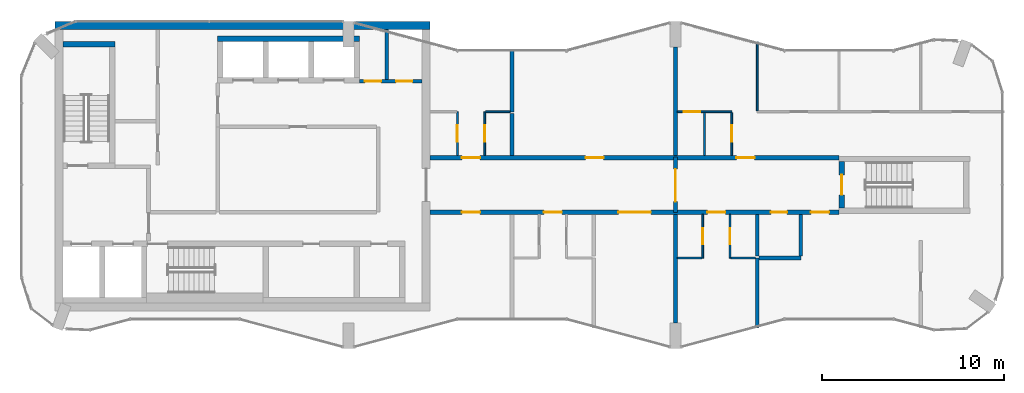
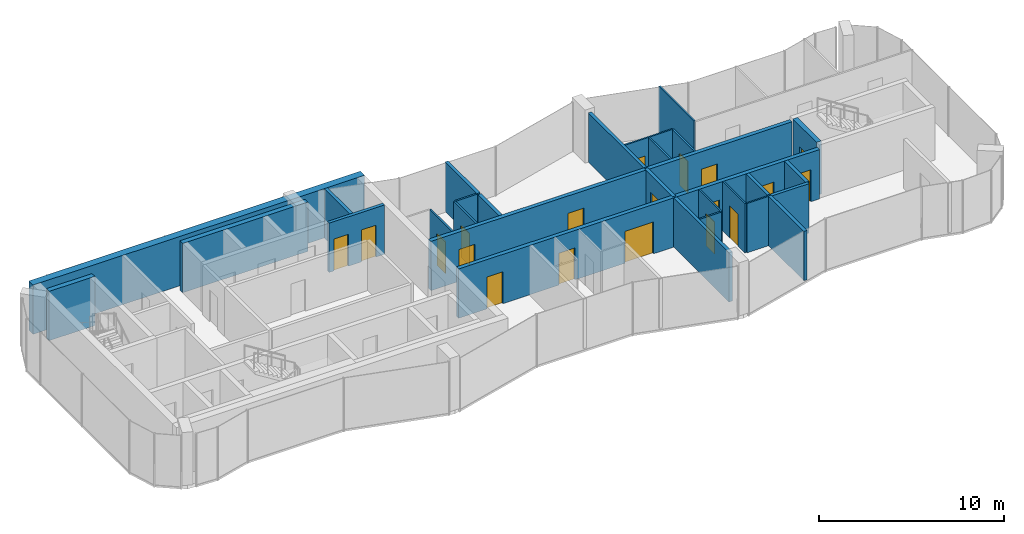
# One storey, part 8 of 10: 28 walls, 19 doors, 19 openings.
"""IFC4 building model written with IfcOpenShell, lengths in metres."""

import ifcopenshell
import ifcopenshell.guid

model = None  # the IFC model being written
_history = None  # IfcOwnerHistory: only IFC2X3 demands one
_inside = {}  # id of a spatial element -> (the spatial element, [elements in it])
_under = {}  # id of a project, library or spatial element -> (it, [spatial elements below it])
_declared = {}  # id of a project -> (the project, [libraries it declares])
_typed = {}  # id of a type object -> (the type object, [elements of that type])
_made_of = {}  # id of a material, layer set ... -> (it, [elements and type objects made of it])


def new_model(schema):
    """Start an empty IFC model of exactly this schema.

    Asked for "IFC4X3", IfcOpenShell would pick the latest addendum, in which some entities
    have other attributes; the version numbers below select the first issue.
    IFC2X3 requires an IfcOwnerHistory on every rooted entity: one is made here for all.
    """
    global model, _history
    if schema == "IFC4X3":
        model = ifcopenshell.file(schema_version=(4, 3, 0, 0))
    else:
        model = ifcopenshell.file(schema=schema)
    _inside.clear()
    _under.clear()
    _declared.clear()
    _typed.clear()
    _made_of.clear()
    _history = None
    if model.schema == "IFC2X3":
        org = make("IfcOrganization", Name="unknown")
        user = make(
            "IfcPersonAndOrganization",
            ThePerson=make("IfcPerson", FamilyName="unknown"),
            TheOrganization=org,
        )
        app = make(
            "IfcApplication",
            ApplicationDeveloper=org,
            Version="unknown",
            ApplicationFullName="unknown",
            ApplicationIdentifier="unknown",
        )
        _history = make(
            "IfcOwnerHistory",
            OwningUser=user,
            OwningApplication=app,
            ChangeAction="ADDED",
            CreationDate=0,
        )
    return model


def make(cls, **values):
    """One entity of the class cls with the attributes given. An attribute that is None is left unset."""
    return model.create_entity(
        cls, **{name: value for name, value in values.items() if value is not None}
    )


def rooted(cls, **values):
    """An entity with a GlobalId (a new one), such as an element, a storey or a relation."""
    return make(cls, GlobalId=ifcopenshell.guid.new(), OwnerHistory=_history, **values)


def si_unit(unit_type, name, prefix=None):
    """IfcSIUnit, for example si_unit("LENGTHUNIT", "METRE", prefix="MILLI")."""
    return make("IfcSIUnit", UnitType=unit_type, Prefix=prefix, Name=name)


def assignment(units):
    """IfcUnitAssignment: the units of a project."""
    return None if units is None else make("IfcUnitAssignment", Units=units)


def point(xyz):
    """IfcCartesianPoint."""
    return None if xyz is None else make("IfcCartesianPoint", Coordinates=xyz)


def direction(xyz):
    """IfcDirection."""
    return None if xyz is None else make("IfcDirection", DirectionRatios=xyz)


def frame(location, z_axis=None, x_axis=None):
    """IfcAxis2Placement3D, a coordinate frame: its origin and axes. An axis left out is left unset."""
    return make(
        "IfcAxis2Placement3D",
        Location=point(location),
        Axis=direction(z_axis),
        RefDirection=direction(x_axis),
    )


def frame_2d(location, x_axis=None):
    """IfcAxis2Placement2D, a coordinate frame in the plane: its origin and x axis."""
    return make(
        "IfcAxis2Placement2D", Location=point(location), RefDirection=direction(x_axis)
    )


def origin():
    """The frame at (0, 0, 0) with its axes left unset."""
    return frame((0.0, 0.0, 0.0))


def place(relative_to, where):
    """IfcLocalPlacement: puts the frame where relative to a parent placement (None: the world)."""
    return make(
        "IfcLocalPlacement", PlacementRelTo=relative_to, RelativePlacement=where
    )


def context(
    kind, dimensions, precision=None, world=None, true_north=None, identifier=None
):
    """IfcGeometricRepresentationContext, for example the 3D "Model" context."""
    return make(
        "IfcGeometricRepresentationContext",
        ContextIdentifier=identifier,
        ContextType=kind,
        CoordinateSpaceDimension=dimensions,
        Precision=precision,
        WorldCoordinateSystem=world,
        TrueNorth=true_north,
    )


def subcontext(parent, identifier, kind, view, scale=None):
    """IfcGeometricRepresentationSubContext, for example "Body" below "Model"."""
    return make(
        "IfcGeometricRepresentationSubContext",
        ContextIdentifier=identifier,
        ContextType=kind,
        ParentContext=parent,
        TargetScale=scale,
        TargetView=view,
    )


def project(units=None, contexts=None):
    """IfcProject with its units and contexts."""
    return rooted(
        "IfcProject",
        Name="project",
        RepresentationContexts=contexts,
        UnitsInContext=assignment(units),
    )


def spatial(cls, under=None, at=None, **own):
    """A site, building, storey or space (cls), placed at a placement, below another one or the project."""
    s = rooted(cls, ObjectPlacement=at, **own)
    if under is not None:
        _under.setdefault(under.id(), (under, []))[1].append(s)
    return s


def profile(cls, at=None, kind="AREA", **sizes):
    """A parametric profile (cls). Its sizes go by their IFC names, for example OverallWidth=200.0."""
    return make(cls, ProfileType=kind, Position=at, **sizes)


def rectangle(**sizes):
    """IfcRectangleProfileDef."""
    return profile("IfcRectangleProfileDef", **sizes)


def extrude(swept, where, along, depth):
    """IfcExtrudedAreaSolid: the profile swept, set in the frame where, extruded along a direction by depth."""
    return make(
        "IfcExtrudedAreaSolid",
        SweptArea=swept,
        Position=where,
        ExtrudedDirection=direction(along),
        Depth=depth,
    )


def shape(context_of_items, identifier, shape_type, items):
    """IfcShapeRepresentation: the items that make up one representation, for example the "Body"."""
    return make(
        "IfcShapeRepresentation",
        ContextOfItems=context_of_items,
        RepresentationIdentifier=identifier,
        RepresentationType=shape_type,
        Items=items,
    )


def material(Name=None, Category=None):
    """IfcMaterial."""
    return make("IfcMaterial", Name=Name, Category=Category)


def layer(
    of_material, thickness, ventilated=None, Name=None, Category=None, Priority=None
):
    """IfcMaterialLayer: one layer of a wall or slab, of a material (None: an air gap)."""
    return make(
        "IfcMaterialLayer",
        Material=of_material,
        LayerThickness=thickness,
        IsVentilated=ventilated,
        Name=Name,
        Category=Category,
        Priority=Priority,
    )


def layer_set(layers, Name=None):
    """IfcMaterialLayerSet."""
    return make("IfcMaterialLayerSet", MaterialLayers=layers, LayerSetName=Name)


def made_of(thing, what):
    """Note that an element or type object is made of a material, layer set ...; save() writes the relation."""
    if what is not None:
        _made_of.setdefault(what.id(), (what, []))[1].append(thing)
    return thing


def type_object(cls, material=None, **own):
    """A type object (cls), such as IfcWallType, which elements share."""
    return made_of(rooted(cls, **own), material)


def element(
    cls,
    number,
    at=None,
    inside=None,
    cuts=None,
    type_object=None,
    material=None,
    context=None,
    identifier="Body",
    shape_type=None,
    held_by="IfcProductDefinitionShape",
    body=None,
    shapes=None,
    **own,
):
    """One element of the class cls, such as IfcWall. Its Tag is "e" and its number.

    at: its placement. inside: the storey or other place that contains it. cuts: it is an
    opening in that element (IfcRelVoidsElement). A single representation is given by context,
    identifier, shape_type and body (its items); several are given by shapes. held_by: the class
    of the entity that holds the representations. save() writes the other relations.
    """
    e = rooted(cls, Tag="e%d" % number, ObjectPlacement=at, **own)
    if body is not None:
        shapes = [shape(context, identifier, shape_type, body)]
    if shapes is not None:
        e.Representation = make(held_by, Representations=shapes)
    if inside is not None:
        _inside.setdefault(inside.id(), (inside, []))[1].append(e)
    if cuts is not None:
        rooted(
            "IfcRelVoidsElement", RelatingBuildingElement=cuts, RelatedOpeningElement=e
        )
    if type_object is not None:
        _typed.setdefault(type_object.id(), (type_object, []))[1].append(e)
    return made_of(e, material)


def fill(opening, filler):
    """IfcRelFillsElement: the door or window that sits in an opening."""
    return rooted(
        "IfcRelFillsElement",
        RelatingOpeningElement=opening,
        RelatedBuildingElement=filler,
    )


def aggregate(whole, parts):
    """IfcRelAggregates: a whole, such as a stair, and the parts it consists of."""
    return rooted("IfcRelAggregates", RelatingObject=whole, RelatedObjects=parts)


def save(model, path):
    """Write the relations noted so far, then the file.

    IfcRelAggregates (storeys below a building ...), IfcRelContainedInSpatialStructure (elements
    in a storey), IfcRelDefinesByType, IfcRelAssociatesMaterial and IfcRelDeclares: one each for
    every whole, place, type object, material and project.
    """
    for whole, parts in _under.values():
        aggregate(whole, parts)
    for where, things in _inside.values():
        rooted(
            "IfcRelContainedInSpatialStructure",
            RelatedElements=things,
            RelatingStructure=where,
        )
    for kind, things in _typed.values():
        rooted("IfcRelDefinesByType", RelatedObjects=things, RelatingType=kind)
    for what, things in _made_of.values():
        rooted("IfcRelAssociatesMaterial", RelatedObjects=things, RelatingMaterial=what)
    for by, libraries in _declared.values():
        rooted("IfcRelDeclares", RelatingContext=by, RelatedDefinitions=libraries)
    model.write(path)


model = new_model("IFC4")

# Units and contexts
model_context = context("Model", 3, precision=1e-05, world=origin(), true_north=direction((0.0, 1.0)))
body_context = subcontext(model_context, "Body", "Model", "MODEL_VIEW")
ifc_project = project(units=[si_unit("LENGTHUNIT", "METRE"), si_unit("AREAUNIT", "SQUARE_METRE"), si_unit("VOLUMEUNIT", "CUBIC_METRE"), si_unit("PLANEANGLEUNIT", "RADIAN"), si_unit("MASSUNIT", "GRAM", prefix="KILO")], contexts=[model_context])

# Site, building, storey
site_placement = place(None, origin())
site = spatial("IfcSite", under=ifc_project, at=site_placement, CompositionType="ELEMENT")
building_placement = place(site_placement, origin())
building = spatial("IfcBuilding", under=site, at=building_placement, Name="Plateau Cross Towers", CompositionType="ELEMENT")
storey_placement = place(building_placement, frame((0.0, 0.0, 270.39990234375)))
storey = spatial("IfcBuildingStorey", under=building, at=storey_placement, Name="L71", CompositionType="ELEMENT", Elevation=270.39990234375)

# Wall, openings, doors
ifc_material_1 = material(Name="Concrete block, plastered both sides", Category="concrete")
ifc_layer_1 = layer(ifc_material_1, 0.199951171875)
ifc_layer_set_1 = layer_set([ifc_layer_1], Name="Concrete block, plastered both sides")
wall_type_1 = type_object("IfcWallType", Name="Core partition 200", PredefinedType="PARTITIONING", material=ifc_layer_set_1)
wall_1_placement = place(storey_placement, frame((18.60009765625, 14.699951171875, 0.0), z_axis=(0.0, 0.0, 1.0), x_axis=(1.0, 0.0, 0.0)))
wall_1 = element("IfcWall", 1, at=wall_1_placement, inside=storey, type_object=wall_type_1, Name="Core partition", PredefinedType="PARTITIONING", context=body_context, shape_type="SweptSolid", body=[
    extrude(rectangle(XDim=3.449951171875, YDim=0.199951171875, at=frame_2d((1.72509765625, 0.0))), origin(), (0.0, 0.0, 1.0), 3.25),
])
opening_1_placement = place(wall_1_placement, frame((0.300048828125, 0.0, 0.0)))
opening_1 = element("IfcOpeningElement", 2, at=opening_1_placement, cuts=wall_1, Name="Opening RD2", PredefinedType="OPENING", context=body_context, shape_type="SweptSolid", body=[
    extrude(rectangle(XDim=0.89990234375, YDim=2.10009765625, at=frame_2d((0.449951171875, 1.050048828125))), frame((0.0, 0.10986328125, 0.0), z_axis=(0.0, -1.0, 0.0), x_axis=(1.0, 0.0, 0.0)), (0.0, 0.0, 1.0), 0.219970703125),
])
opening_2_placement = place(wall_1_placement, frame((2.02490234375, 0.0, 0.0)))
opening_2 = element("IfcOpeningElement", 3, at=opening_2_placement, cuts=wall_1, Name="Opening RD2", PredefinedType="OPENING", context=body_context, shape_type="SweptSolid", body=[
    extrude(rectangle(XDim=0.89990234375, YDim=2.10009765625, at=frame_2d((0.449951171875, 1.050048828125))), frame((0.0, 0.10986328125, 0.0), z_axis=(0.0, -1.0, 0.0), x_axis=(1.0, 0.0, 0.0)), (0.0, 0.0, 1.0), 0.219970703125),
])
ifc_material_2 = material(Name="Steel, fire-resisting leaf", Category="steel")
door_type_1 = type_object("IfcDoorType", Name="Core riser door 900", OperationType="NOTDEFINED", PredefinedType="DOOR", material=ifc_material_2)
door_1_placement = place(opening_1_placement, origin())
door_1 = element("IfcDoor", 4, at=door_1_placement, inside=storey, type_object=door_type_1, Name="Core riser door RD2", OperationType="SINGLE_SWING_LEFT", OverallHeight=2.10009765625, OverallWidth=0.89990234375, PredefinedType="DOOR", context=body_context, shape_type="SweptSolid", body=[
    extrude(rectangle(XDim=0.89990234375, YDim=2.10009765625, at=frame_2d((0.449951171875, 1.050048828125))), frame((0.0, 0.02490234375, 0.0), z_axis=(0.0, -1.0, 0.0), x_axis=(1.0, 0.0, 0.0)), (0.0, 0.0, 1.0), 0.050048828125),
])
fill(opening_1, door_1)
door_2_placement = place(opening_2_placement, origin())
door_2 = element("IfcDoor", 5, at=door_2_placement, inside=storey, type_object=door_type_1, Name="Core riser door RD2", OperationType="SINGLE_SWING_LEFT", OverallHeight=2.10009765625, OverallWidth=0.89990234375, PredefinedType="DOOR", context=body_context, shape_type="SweptSolid", body=[
    extrude(rectangle(XDim=0.89990234375, YDim=2.10009765625, at=frame_2d((0.449951171875, 1.050048828125))), frame((0.0, 0.02490234375, 0.0), z_axis=(0.0, -1.0, 0.0), x_axis=(1.0, 0.0, 0.0)), (0.0, 0.0, 1.0), 0.050048828125),
])
fill(opening_2, door_2)

# Walls
wall_2_placement = place(storey_placement, frame((20.10009765625, 14.800048828125, 0.0), z_axis=(0.0, 0.0, 1.0), x_axis=(0.0, 1.0, 0.0)))
element("IfcWall", 6, at=wall_2_placement, inside=storey, type_object=wall_type_1, Name="Core partition", PredefinedType="PARTITIONING", context=body_context, shape_type="SweptSolid", body=[
    extrude(rectangle(XDim=2.75, YDim=0.199951171875, at=frame_2d((1.375, 0.0))), origin(), (0.0, 0.0, 1.0), 3.25),
])
ifc_material_3 = material(Name="Concrete C60/75", Category="concrete")
ifc_layer_2 = layer(ifc_material_3, 0.300048828125)
ifc_layer_set_2 = layer_set([ifc_layer_2], Name="Concrete C60/75")
wall_type_2 = type_object("IfcWallType", Name="Core shaft wall 300", PredefinedType="SHEAR", material=ifc_layer_set_2)
wall_3_placement = place(storey_placement, frame((2.300048828125, 16.75, 0.0), z_axis=(0.0, 0.0, 1.0), x_axis=(1.0, 0.0, 0.0)))
element("IfcWall", 7, at=wall_3_placement, inside=storey, type_object=wall_type_2, Name="A-st1-N@L71", PredefinedType="SHEAR", context=body_context, shape_type="SweptSolid", body=[
    extrude(rectangle(XDim=2.849853515625, YDim=0.300048828125, at=frame_2d((1.4248046875, 0.0))), origin(), (0.0, 0.0, 1.0), 3.25),
])
wall_4_placement = place(storey_placement, frame((10.800048828125, 17.050048828125, 0.0), z_axis=(0.0, 0.0, 1.0), x_axis=(1.0, 0.0, 0.0)))
element("IfcWall", 8, at=wall_4_placement, inside=storey, type_object=wall_type_2, Name="A-nb-back@L71", PredefinedType="SHEAR", context=body_context, shape_type="SweptSolid", body=[
    extrude(rectangle(XDim=7.800048828125, YDim=0.300048828125, at=frame_2d((3.89990234375, 0.0))), origin(), (0.0, 0.0, 1.0), 3.25),
])
ifc_layer_3 = layer(ifc_material_3, 0.449951171875)
ifc_layer_set_3 = layer_set([ifc_layer_3], Name="Concrete C60/75")
wall_type_3 = type_object("IfcWallType", Name="Core shell wall 450", PredefinedType="SHEAR", material=ifc_layer_set_3)
wall_5_placement = place(storey_placement, frame((1.85009765625, 17.77490234375, 0.0), z_axis=(0.0, 0.0, 1.0), x_axis=(1.0, 0.0, 0.0)))
element("IfcWall", 9, at=wall_5_placement, inside=storey, type_object=wall_type_3, Name="A-core-N@L71", PredefinedType="SHEAR", context=body_context, shape_type="SweptSolid", body=[
    extrude(rectangle(XDim=20.64990234375, YDim=0.449951171875, at=frame_2d((10.324951171875, 0.0))), origin(), (0.0, 0.0, 1.0), 3.25),
])

# Wall, openings, doors
ifc_layer_4 = layer(ifc_material_3, 0.25)
ifc_layer_set_4 = layer_set([ifc_layer_4], Name="Concrete C60/75")
wall_type_4 = type_object("IfcWallType", Name="Corridor wall 250", PredefinedType="SHEAR", material=ifc_layer_set_4)
wall_6_placement = place(storey_placement, frame((22.5, 7.5, 0.0), z_axis=(0.0, 0.0, 1.0), x_axis=(1.0, 0.0, 0.0)))
wall_6 = element("IfcWall", 10, at=wall_6_placement, inside=storey, type_object=wall_type_4, Name="A-cw-S1@L71", PredefinedType="SHEAR", context=body_context, shape_type="SweptSolid", body=[
    extrude(rectangle(XDim=22.5, YDim=0.25, at=frame_2d((11.25, 0.0))), origin(), (0.0, 0.0, 1.0), 3.25),
])
opening_3_placement = place(wall_6_placement, frame((1.75, 0.0, 0.0)))
opening_3 = element("IfcOpeningElement", 11, at=opening_3_placement, cuts=wall_6, Name="Opening 71-01", PredefinedType="OPENING", context=body_context, shape_type="SweptSolid", body=[
    extrude(rectangle(XDim=1.0, YDim=2.10009765625, at=frame_2d((0.5, 1.050048828125))), frame((0.0, 0.135009765625, 0.0), z_axis=(0.0, -1.0, 0.0), x_axis=(1.0, 0.0, 0.0)), (0.0, 0.0, 1.0), 0.27001953125),
])
opening_4_placement = place(wall_6_placement, frame((6.25, 0.0, 0.0)))
opening_4 = element("IfcOpeningElement", 12, at=opening_4_placement, cuts=wall_6, Name="Opening 71-02", PredefinedType="OPENING", context=body_context, shape_type="SweptSolid", body=[
    extrude(rectangle(XDim=1.0, YDim=2.10009765625, at=frame_2d((0.5, 1.050048828125))), frame((0.0, 0.135009765625, 0.0), z_axis=(0.0, -1.0, 0.0), x_axis=(1.0, 0.0, 0.0)), (0.0, 0.0, 1.0), 0.27001953125),
])
opening_5_placement = place(wall_6_placement, frame((10.35009765625, 0.0, 0.0)))
opening_5 = element("IfcOpeningElement", 13, at=opening_5_placement, cuts=wall_6, Name="Opening 71-03", PredefinedType="OPENING", context=body_context, shape_type="SweptSolid", body=[
    extrude(rectangle(XDim=1.800048828125, YDim=2.10009765625, at=frame_2d((0.89990234375, 1.050048828125))), frame((0.0, 0.135009765625, 0.0), z_axis=(0.0, -1.0, 0.0), x_axis=(1.0, 0.0, 0.0)), (0.0, 0.0, 1.0), 0.27001953125),
])
opening_6_placement = place(wall_6_placement, frame((15.25, 0.0, 0.0)))
opening_6 = element("IfcOpeningElement", 14, at=opening_6_placement, cuts=wall_6, Name="Opening 71-04", PredefinedType="OPENING", context=body_context, shape_type="SweptSolid", body=[
    extrude(rectangle(XDim=1.0, YDim=2.10009765625, at=frame_2d((0.5, 1.050048828125))), frame((0.0, 0.135009765625, 0.0), z_axis=(0.0, -1.0, 0.0), x_axis=(1.0, 0.0, 0.0)), (0.0, 0.0, 1.0), 0.27001953125),
])
opening_7_placement = place(wall_6_placement, frame((18.75, 0.0, 0.0)))
opening_7 = element("IfcOpeningElement", 15, at=opening_7_placement, cuts=wall_6, Name="Opening 71-05", PredefinedType="OPENING", context=body_context, shape_type="SweptSolid", body=[
    extrude(rectangle(XDim=0.89990234375, YDim=2.10009765625, at=frame_2d((0.449951171875, 1.050048828125))), frame((0.0, 0.135009765625, 0.0), z_axis=(0.0, -1.0, 0.0), x_axis=(1.0, 0.0, 0.0)), (0.0, 0.0, 1.0), 0.27001953125),
])
opening_8_placement = place(wall_6_placement, frame((20.949951171875, 0.0, 0.0)))
opening_8 = element("IfcOpeningElement", 16, at=opening_8_placement, cuts=wall_6, Name="Opening 71-06", PredefinedType="OPENING", context=body_context, shape_type="SweptSolid", body=[
    extrude(rectangle(XDim=1.0, YDim=2.10009765625, at=frame_2d((0.5, 1.050048828125))), frame((0.0, 0.135009765625, 0.0), z_axis=(0.0, -1.0, 0.0), x_axis=(1.0, 0.0, 0.0)), (0.0, 0.0, 1.0), 0.27001953125),
])
ifc_material_4 = material(Name="Timber, fire-resisting leaf", Category="wood")
door_type_2 = type_object("IfcDoorType", Name="Flat entrance door 1000", OperationType="NOTDEFINED", PredefinedType="DOOR", material=ifc_material_4)
door_3_placement = place(opening_3_placement, origin())
door_3 = element("IfcDoor", 17, at=door_3_placement, inside=storey, type_object=door_type_2, Name="Door 71-01", OperationType="SINGLE_SWING_LEFT", OverallHeight=2.10009765625, OverallWidth=1.0, PredefinedType="DOOR", context=body_context, shape_type="SweptSolid", body=[
    extrude(rectangle(XDim=1.0, YDim=2.10009765625, at=frame_2d((0.5, 1.050048828125))), frame((0.0, 0.02490234375, 0.0), z_axis=(0.0, -1.0, 0.0), x_axis=(1.0, 0.0, 0.0)), (0.0, 0.0, 1.0), 0.050048828125),
])
fill(opening_3, door_3)
door_4_placement = place(opening_4_placement, origin())
door_4 = element("IfcDoor", 18, at=door_4_placement, inside=storey, type_object=door_type_2, Name="Door 71-02", OperationType="SINGLE_SWING_LEFT", OverallHeight=2.10009765625, OverallWidth=1.0, PredefinedType="DOOR", context=body_context, shape_type="SweptSolid", body=[
    extrude(rectangle(XDim=1.0, YDim=2.10009765625, at=frame_2d((0.5, 1.050048828125))), frame((0.0, 0.02490234375, 0.0), z_axis=(0.0, -1.0, 0.0), x_axis=(1.0, 0.0, 0.0)), (0.0, 0.0, 1.0), 0.050048828125),
])
fill(opening_4, door_4)
door_5_placement = place(opening_6_placement, origin())
door_5 = element("IfcDoor", 19, at=door_5_placement, inside=storey, type_object=door_type_2, Name="Door 71-04", OperationType="SINGLE_SWING_RIGHT", OverallHeight=2.10009765625, OverallWidth=1.0, PredefinedType="DOOR", context=body_context, shape_type="SweptSolid", body=[
    extrude(rectangle(XDim=1.0, YDim=2.10009765625, at=frame_2d((0.5, 1.050048828125))), frame((0.0, 0.02490234375, 0.0), z_axis=(0.0, -1.0, 0.0), x_axis=(1.0, 0.0, 0.0)), (0.0, 0.0, 1.0), 0.050048828125),
])
fill(opening_6, door_5)
door_6_placement = place(opening_8_placement, origin())
door_6 = element("IfcDoor", 20, at=door_6_placement, inside=storey, type_object=door_type_2, Name="Door 71-06", OperationType="SINGLE_SWING_RIGHT", OverallHeight=2.10009765625, OverallWidth=1.0, PredefinedType="DOOR", context=body_context, shape_type="SweptSolid", body=[
    extrude(rectangle(XDim=1.0, YDim=2.10009765625, at=frame_2d((0.5, 1.050048828125))), frame((0.0, 0.02490234375, 0.0), z_axis=(0.0, -1.0, 0.0), x_axis=(1.0, 0.0, 0.0)), (0.0, 0.0, 1.0), 0.050048828125),
])
fill(opening_8, door_6)
ifc_material_5 = material(Name="Timber, fire-resisting leaves", Category="wood")
door_type_3 = type_object("IfcDoorType", Name="Flat floor fire door pair 1800", OperationType="NOTDEFINED", PredefinedType="DOOR", material=ifc_material_5)
door_7_placement = place(opening_5_placement, origin())
door_7 = element("IfcDoor", 21, at=door_7_placement, inside=storey, type_object=door_type_3, Name="Door 71-03", OperationType="SINGLE_SWING_LEFT", OverallHeight=2.10009765625, OverallWidth=1.800048828125, PredefinedType="DOOR", context=body_context, shape_type="SweptSolid", body=[
    extrude(rectangle(XDim=1.800048828125, YDim=2.10009765625, at=frame_2d((0.89990234375, 1.050048828125))), frame((0.0, 0.02490234375, 0.0), z_axis=(0.0, -1.0, 0.0), x_axis=(1.0, 0.0, 0.0)), (0.0, 0.0, 1.0), 0.050048828125),
])
fill(opening_5, door_7)
door_type_4 = type_object("IfcDoorType", Name="Flat floor service door 900", OperationType="NOTDEFINED", PredefinedType="DOOR", material=ifc_material_4)
door_8_placement = place(opening_7_placement, origin())
door_8 = element("IfcDoor", 22, at=door_8_placement, inside=storey, type_object=door_type_4, Name="Door 71-05", OperationType="SINGLE_SWING_RIGHT", OverallHeight=2.10009765625, OverallWidth=0.89990234375, PredefinedType="DOOR", context=body_context, shape_type="SweptSolid", body=[
    extrude(rectangle(XDim=0.89990234375, YDim=2.10009765625, at=frame_2d((0.449951171875, 1.050048828125))), frame((0.0, 0.02490234375, 0.0), z_axis=(0.0, -1.0, 0.0), x_axis=(1.0, 0.0, 0.0)), (0.0, 0.0, 1.0), 0.050048828125),
])
fill(opening_7, door_8)

wall_7_placement = place(storey_placement, frame((22.5, 10.5, 0.0), z_axis=(0.0, 0.0, 1.0), x_axis=(1.0, 0.0, 0.0)))
wall_7 = element("IfcWall", 23, at=wall_7_placement, inside=storey, type_object=wall_type_4, Name="A-cw-S2@L71", PredefinedType="SHEAR", context=body_context, shape_type="SweptSolid", body=[
    extrude(rectangle(XDim=22.5, YDim=0.25, at=frame_2d((11.25, 0.0))), origin(), (0.0, 0.0, 1.0), 3.25),
])
opening_9_placement = place(wall_7_placement, frame((1.75, 0.0, 0.0)))
opening_9 = element("IfcOpeningElement", 24, at=opening_9_placement, cuts=wall_7, Name="Opening 71-07", PredefinedType="OPENING", context=body_context, shape_type="SweptSolid", body=[
    extrude(rectangle(XDim=1.0, YDim=2.10009765625, at=frame_2d((0.5, 1.050048828125))), frame((0.0, 0.135009765625, 0.0), z_axis=(0.0, -1.0, 0.0), x_axis=(1.0, 0.0, 0.0)), (0.0, 0.0, 1.0), 0.27001953125),
])
opening_10_placement = place(wall_7_placement, frame((8.550048828125, 0.0, 0.0)))
opening_10 = element("IfcOpeningElement", 25, at=opening_10_placement, cuts=wall_7, Name="Opening 71-08", PredefinedType="OPENING", context=body_context, shape_type="SweptSolid", body=[
    extrude(rectangle(XDim=1.0, YDim=2.10009765625, at=frame_2d((0.5, 1.050048828125))), frame((0.0, 0.135009765625, 0.0), z_axis=(0.0, -1.0, 0.0), x_axis=(1.0, 0.0, 0.0)), (0.0, 0.0, 1.0), 0.27001953125),
])
opening_11_placement = place(wall_7_placement, frame((16.85009765625, 0.0, 0.0)))
opening_11 = element("IfcOpeningElement", 26, at=opening_11_placement, cuts=wall_7, Name="Opening 71-09", PredefinedType="OPENING", context=body_context, shape_type="SweptSolid", body=[
    extrude(rectangle(XDim=1.0, YDim=2.10009765625, at=frame_2d((0.5, 1.050048828125))), frame((0.0, 0.135009765625, 0.0), z_axis=(0.0, -1.0, 0.0), x_axis=(1.0, 0.0, 0.0)), (0.0, 0.0, 1.0), 0.27001953125),
])
door_9_placement = place(opening_9_placement, origin())
door_9 = element("IfcDoor", 27, at=door_9_placement, inside=storey, type_object=door_type_2, Name="Door 71-07", OperationType="SINGLE_SWING_LEFT", OverallHeight=2.10009765625, OverallWidth=1.0, PredefinedType="DOOR", context=body_context, shape_type="SweptSolid", body=[
    extrude(rectangle(XDim=1.0, YDim=2.10009765625, at=frame_2d((0.5, 1.050048828125))), frame((0.0, 0.02490234375, 0.0), z_axis=(0.0, -1.0, 0.0), x_axis=(1.0, 0.0, 0.0)), (0.0, 0.0, 1.0), 0.050048828125),
])
fill(opening_9, door_9)
door_10_placement = place(opening_10_placement, origin())
door_10 = element("IfcDoor", 28, at=door_10_placement, inside=storey, type_object=door_type_2, Name="Door 71-08", OperationType="SINGLE_SWING_LEFT", OverallHeight=2.10009765625, OverallWidth=1.0, PredefinedType="DOOR", context=body_context, shape_type="SweptSolid", body=[
    extrude(rectangle(XDim=1.0, YDim=2.10009765625, at=frame_2d((0.5, 1.050048828125))), frame((0.0, 0.02490234375, 0.0), z_axis=(0.0, -1.0, 0.0), x_axis=(1.0, 0.0, 0.0)), (0.0, 0.0, 1.0), 0.050048828125),
])
fill(opening_10, door_10)
door_11_placement = place(opening_11_placement, origin())
door_11 = element("IfcDoor", 29, at=door_11_placement, inside=storey, type_object=door_type_2, Name="Door 71-09", OperationType="SINGLE_SWING_RIGHT", OverallHeight=2.10009765625, OverallWidth=1.0, PredefinedType="DOOR", context=body_context, shape_type="SweptSolid", body=[
    extrude(rectangle(XDim=1.0, YDim=2.10009765625, at=frame_2d((0.5, 1.050048828125))), frame((0.0, 0.02490234375, 0.0), z_axis=(0.0, -1.0, 0.0), x_axis=(1.0, 0.0, 0.0)), (0.0, 0.0, 1.0), 0.050048828125),
])
fill(opening_11, door_11)

# Walls
ifc_material_6 = material(Name="Gypsum board on steel studs", Category="steel")
ifc_layer_5 = layer(ifc_material_6, 0.10009765625)
ifc_layer_set_5 = layer_set([ifc_layer_5], Name="Gypsum board on steel studs")
wall_type_5 = type_object("IfcWallType", Name="Flat partition 100", PredefinedType="PARTITIONING", material=ifc_layer_set_5)
for number, where, z_axis, x_axis, name in (
    (30, (36.10009765625, 4.97509765625, 0.0), (0.0, 0.0, 1.0), (1.0, 0.0, 0.0), "Partition wall"),
    (31, (39.050048828125, 4.97509765625, 0.0), (0.0, 0.0, 1.0), (1.0, 0.0, 0.0), "Partition wall"),
    (32, (26.89990234375, 13.02490234375, 0.0), (0.0, 0.0, 1.0), (-1.0, 0.0, 0.0), "Partition wall"),
):
    element("IfcWall", number, at=place(storey_placement, frame(where, z_axis=z_axis, x_axis=x_axis)), inside=storey, type_object=wall_type_5, Name=name, PredefinedType="PARTITIONING", context=body_context, shape_type="SweptSolid", body=[
        extrude(rectangle(XDim=1.349853515625, YDim=0.10009765625, at=frame_2d((0.6748046875, 0.0))), origin(), (0.0, 0.0, 1.0), 3.25),
    ])

# Wall, opening, door
wall_8_placement = place(storey_placement, frame((39.10009765625, 13.02490234375, 0.0), z_axis=(0.0, 0.0, 1.0), x_axis=(-1.0, 0.0, 0.0)))
wall_8 = element("IfcWall", 33, at=wall_8_placement, inside=storey, type_object=wall_type_5, Name="Partition wall", PredefinedType="PARTITIONING", context=body_context, shape_type="SweptSolid", body=[
    extrude(rectangle(XDim=3.0, YDim=0.10009765625, at=frame_2d((1.5, 0.0))), origin(), (0.0, 0.0, 1.0), 3.25),
])
opening_12_placement = place(wall_8_placement, frame((1.75, 0.0, 0.0)))
opening_12 = element("IfcOpeningElement", 34, at=opening_12_placement, cuts=wall_8, Name="Opening 71-18", PredefinedType="OPENING", context=body_context, shape_type="SweptSolid", body=[
    extrude(rectangle(XDim=0.89990234375, YDim=2.10009765625, at=frame_2d((0.449951171875, 1.050048828125))), frame((0.0, 0.06005859375, 0.0), z_axis=(0.0, -1.0, 0.0), x_axis=(1.0, 0.0, 0.0)), (0.0, 0.0, 1.0), 0.1201171875),
])
ifc_material_7 = material(Name="Timber leaf", Category="wood")
door_type_5 = type_object("IfcDoorType", Name="Flat room door 900", OperationType="NOTDEFINED", PredefinedType="DOOR", material=ifc_material_7)
door_12_placement = place(opening_12_placement, origin())
door_12 = element("IfcDoor", 35, at=door_12_placement, inside=storey, type_object=door_type_5, Name="Door 71-18", OperationType="SINGLE_SWING_RIGHT", OverallHeight=2.10009765625, OverallWidth=0.89990234375, PredefinedType="DOOR", context=body_context, shape_type="SweptSolid", body=[
    extrude(rectangle(XDim=0.89990234375, YDim=2.10009765625, at=frame_2d((0.449951171875, 1.050048828125))), frame((0.0, 0.02490234375, 0.0), z_axis=(0.0, -1.0, 0.0), x_axis=(1.0, 0.0, 0.0)), (0.0, 0.0, 1.0), 0.050048828125),
])
fill(opening_12, door_12)

wall_9_placement = place(storey_placement, frame((24.0, 10.625, 0.0), z_axis=(0.0, 0.0, 1.0), x_axis=(0.0, 1.0, 0.0)))
wall_9 = element("IfcWall", 36, at=wall_9_placement, inside=storey, type_object=wall_type_5, Name="Partition wall", PredefinedType="PARTITIONING", context=body_context, shape_type="SweptSolid", body=[
    extrude(rectangle(XDim=2.39990234375, YDim=0.10009765625, at=frame_2d((1.199951171875, 0.0))), origin(), (0.0, 0.0, 1.0), 3.25),
])
opening_13_placement = place(wall_9_placement, frame((0.75, 0.0, 0.0)))
opening_13 = element("IfcOpeningElement", 37, at=opening_13_placement, cuts=wall_9, Name="Opening 71-16", PredefinedType="OPENING", context=body_context, shape_type="SweptSolid", body=[
    extrude(rectangle(XDim=0.89990234375, YDim=2.10009765625, at=frame_2d((0.449951171875, 1.050048828125))), frame((0.0, 0.06005859375, 0.0), z_axis=(0.0, -1.0, 0.0), x_axis=(1.0, 0.0, 0.0)), (0.0, 0.0, 1.0), 0.1201171875),
])
door_13_placement = place(opening_13_placement, origin())
door_13 = element("IfcDoor", 38, at=door_13_placement, inside=storey, type_object=door_type_5, Name="Door 71-16", OperationType="SINGLE_SWING_LEFT", OverallHeight=2.10009765625, OverallWidth=0.89990234375, PredefinedType="DOOR", context=body_context, shape_type="SweptSolid", body=[
    extrude(rectangle(XDim=0.89990234375, YDim=2.10009765625, at=frame_2d((0.449951171875, 1.050048828125))), frame((0.0, 0.02490234375, 0.0), z_axis=(0.0, -1.0, 0.0), x_axis=(1.0, 0.0, 0.0)), (0.0, 0.0, 1.0), 0.050048828125),
])
fill(opening_13, door_13)

wall_10_placement = place(storey_placement, frame((25.5, 13.02490234375, 0.0), z_axis=(0.0, 0.0, 1.0), x_axis=(0.0, -1.0, 0.0)))
wall_10 = element("IfcWall", 39, at=wall_10_placement, inside=storey, type_object=wall_type_5, Name="Partition wall", PredefinedType="PARTITIONING", context=body_context, shape_type="SweptSolid", body=[
    extrude(rectangle(XDim=2.39990234375, YDim=0.10009765625, at=frame_2d((1.199951171875, 0.0))), origin(), (0.0, 0.0, 1.0), 3.25),
])
opening_14_placement = place(wall_10_placement, frame((0.75, 0.0, 0.0)))
opening_14 = element("IfcOpeningElement", 40, at=opening_14_placement, cuts=wall_10, Name="Opening 71-17", PredefinedType="OPENING", context=body_context, shape_type="SweptSolid", body=[
    extrude(rectangle(XDim=0.89990234375, YDim=2.10009765625, at=frame_2d((0.449951171875, 1.050048828125))), frame((0.0, 0.06005859375, 0.0), z_axis=(0.0, -1.0, 0.0), x_axis=(1.0, 0.0, 0.0)), (0.0, 0.0, 1.0), 0.1201171875),
])
door_14_placement = place(opening_14_placement, origin())
door_14 = element("IfcDoor", 41, at=door_14_placement, inside=storey, type_object=door_type_5, Name="Door 71-17", OperationType="SINGLE_SWING_LEFT", OverallHeight=2.10009765625, OverallWidth=0.89990234375, PredefinedType="DOOR", context=body_context, shape_type="SweptSolid", body=[
    extrude(rectangle(XDim=0.89990234375, YDim=2.10009765625, at=frame_2d((0.449951171875, 1.050048828125))), frame((0.0, 0.02490234375, 0.0), z_axis=(0.0, -1.0, 0.0), x_axis=(1.0, 0.0, 0.0)), (0.0, 0.0, 1.0), 0.050048828125),
])
fill(opening_14, door_14)

wall_11_placement = place(storey_placement, frame((37.5, 4.97509765625, 0.0), z_axis=(0.0, 0.0, 1.0), x_axis=(0.0, 1.0, 0.0)))
wall_11 = element("IfcWall", 42, at=wall_11_placement, inside=storey, type_object=wall_type_5, Name="Partition wall", PredefinedType="PARTITIONING", context=body_context, shape_type="SweptSolid", body=[
    extrude(rectangle(XDim=2.39990234375, YDim=0.10009765625, at=frame_2d((1.199951171875, 0.0))), origin(), (0.0, 0.0, 1.0), 3.25),
])
opening_15_placement = place(wall_11_placement, frame((0.75, 0.0, 0.0)))
opening_15 = element("IfcOpeningElement", 43, at=opening_15_placement, cuts=wall_11, Name="Opening 71-14", PredefinedType="OPENING", context=body_context, shape_type="SweptSolid", body=[
    extrude(rectangle(XDim=0.89990234375, YDim=2.10009765625, at=frame_2d((0.449951171875, 1.050048828125))), frame((0.0, 0.06005859375, 0.0), z_axis=(0.0, -1.0, 0.0), x_axis=(1.0, 0.0, 0.0)), (0.0, 0.0, 1.0), 0.1201171875),
])
door_15_placement = place(opening_15_placement, origin())
door_15 = element("IfcDoor", 44, at=door_15_placement, inside=storey, type_object=door_type_5, Name="Door 71-14", OperationType="SINGLE_SWING_LEFT", OverallHeight=2.10009765625, OverallWidth=0.89990234375, PredefinedType="DOOR", context=body_context, shape_type="SweptSolid", body=[
    extrude(rectangle(XDim=0.89990234375, YDim=2.10009765625, at=frame_2d((0.449951171875, 1.050048828125))), frame((0.0, 0.02490234375, 0.0), z_axis=(0.0, -1.0, 0.0), x_axis=(1.0, 0.0, 0.0)), (0.0, 0.0, 1.0), 0.050048828125),
])
fill(opening_15, door_15)

# Wall
wall_12_placement = place(storey_placement, frame((37.60009765625, 10.625, 0.0), z_axis=(0.0, 0.0, 1.0), x_axis=(0.0, 1.0, 0.0)))
element("IfcWall", 45, at=wall_12_placement, inside=storey, type_object=wall_type_5, Name="Partition wall", PredefinedType="PARTITIONING", context=body_context, shape_type="SweptSolid", body=[
    extrude(rectangle(XDim=2.35009765625, YDim=0.10009765625, at=frame_2d((1.175048828125, 0.0))), origin(), (0.0, 0.0, 1.0), 3.25),
])

# Wall, opening, door
wall_13_placement = place(storey_placement, frame((39.0, 7.375, 0.0), z_axis=(0.0, 0.0, 1.0), x_axis=(0.0, -1.0, 0.0)))
wall_13 = element("IfcWall", 46, at=wall_13_placement, inside=storey, type_object=wall_type_5, Name="Partition wall", PredefinedType="PARTITIONING", context=body_context, shape_type="SweptSolid", body=[
    extrude(rectangle(XDim=2.39990234375, YDim=0.10009765625, at=frame_2d((1.199951171875, 0.0))), origin(), (0.0, 0.0, 1.0), 3.25),
])
opening_16_placement = place(wall_13_placement, frame((0.75, 0.0, 0.0)))
opening_16 = element("IfcOpeningElement", 47, at=opening_16_placement, cuts=wall_13, Name="Opening 71-15", PredefinedType="OPENING", context=body_context, shape_type="SweptSolid", body=[
    extrude(rectangle(XDim=0.89990234375, YDim=2.10009765625, at=frame_2d((0.449951171875, 1.050048828125))), frame((0.0, 0.06005859375, 0.0), z_axis=(0.0, -1.0, 0.0), x_axis=(1.0, 0.0, 0.0)), (0.0, 0.0, 1.0), 0.1201171875),
])
door_16_placement = place(opening_16_placement, origin())
door_16 = element("IfcDoor", 48, at=door_16_placement, inside=storey, type_object=door_type_5, Name="Door 71-15", OperationType="SINGLE_SWING_LEFT", OverallHeight=2.10009765625, OverallWidth=0.89990234375, PredefinedType="DOOR", context=body_context, shape_type="SweptSolid", body=[
    extrude(rectangle(XDim=0.89990234375, YDim=2.10009765625, at=frame_2d((0.449951171875, 1.050048828125))), frame((0.0, 0.02490234375, 0.0), z_axis=(0.0, -1.0, 0.0), x_axis=(1.0, 0.0, 0.0)), (0.0, 0.0, 1.0), 0.050048828125),
])
fill(opening_16, door_16)

wall_14_placement = place(storey_placement, frame((39.10009765625, 10.625, 0.0), z_axis=(0.0, 0.0, 1.0), x_axis=(0.0, 1.0, 0.0)))
wall_14 = element("IfcWall", 49, at=wall_14_placement, inside=storey, type_object=wall_type_5, Name="Partition wall", PredefinedType="PARTITIONING", context=body_context, shape_type="SweptSolid", body=[
    extrude(rectangle(XDim=2.35009765625, YDim=0.10009765625, at=frame_2d((1.175048828125, 0.0))), origin(), (0.0, 0.0, 1.0), 3.25),
])
opening_17_placement = place(wall_14_placement, frame((0.75, 0.0, 0.0)))
opening_17 = element("IfcOpeningElement", 50, at=opening_17_placement, cuts=wall_14, Name="Opening 71-19", PredefinedType="OPENING", context=body_context, shape_type="SweptSolid", body=[
    extrude(rectangle(XDim=0.89990234375, YDim=2.10009765625, at=frame_2d((0.449951171875, 1.050048828125))), frame((0.0, 0.06005859375, 0.0), z_axis=(0.0, -1.0, 0.0), x_axis=(1.0, 0.0, 0.0)), (0.0, 0.0, 1.0), 0.1201171875),
])
door_17_placement = place(opening_17_placement, origin())
door_17 = element("IfcDoor", 51, at=door_17_placement, inside=storey, type_object=door_type_5, Name="Door 71-19", OperationType="SINGLE_SWING_RIGHT", OverallHeight=2.10009765625, OverallWidth=0.89990234375, PredefinedType="DOOR", context=body_context, shape_type="SweptSolid", body=[
    extrude(rectangle(XDim=0.89990234375, YDim=2.10009765625, at=frame_2d((0.449951171875, 1.050048828125))), frame((0.0, 0.02490234375, 0.0), z_axis=(0.0, -1.0, 0.0), x_axis=(1.0, 0.0, 0.0)), (0.0, 0.0, 1.0), 0.050048828125),
])
fill(opening_17, door_17)

# Walls
wall_15_placement = place(storey_placement, frame((40.5, 16.877685546875, 0.0), z_axis=(0.0, 0.0, 1.0), x_axis=(0.0, -1.0, 0.0)))
element("IfcWall", 52, at=wall_15_placement, inside=storey, type_object=wall_type_5, Name="Partition wall", PredefinedType="PARTITIONING", context=body_context, shape_type="SweptSolid", body=[
    extrude(rectangle(XDim=3.802734375, YDim=0.10009765625, at=frame_2d((1.9013671875, 0.0))), origin(), (0.0, 0.0, 1.0), 3.25),
])
ifc_material_8 = material(Name="Gypsum board on steel studs, two layers each side", Category="steel")
ifc_layer_6 = layer(ifc_material_8, 0.199951171875)
ifc_layer_set_6 = layer_set([ifc_layer_6], Name="Gypsum board on steel studs, two layers each side")
wall_type_6 = type_object("IfcWallType", Name="Flat party wall 200", PredefinedType="PARTITIONING", material=ifc_layer_set_6)
wall_16_placement = place(storey_placement, frame((40.60009765625, 4.97509765625, 0.0), z_axis=(0.0, 0.0, 1.0), x_axis=(1.0, 0.0, 0.0)))
element("IfcWall", 53, at=wall_16_placement, inside=storey, type_object=wall_type_6, Name="Party wall", PredefinedType="PARTITIONING", context=body_context, shape_type="SweptSolid", body=[
    extrude(rectangle(XDim=2.2998046875, YDim=0.199951171875, at=frame_2d((1.14990234375, 0.0))), origin(), (0.0, 0.0, 1.0), 3.25),
])
wall_17_placement = place(storey_placement, frame((27.0, 16.47314453125, 0.0), z_axis=(0.0, 0.0, 1.0), x_axis=(0.0, -1.0, 0.0)))
element("IfcWall", 54, at=wall_17_placement, inside=storey, type_object=wall_type_6, Name="Party wall", PredefinedType="PARTITIONING", context=body_context, shape_type="SweptSolid", body=[
    extrude(rectangle(XDim=3.4482421875, YDim=0.199951171875, at=frame_2d((1.72412109375, 0.0))), origin(), (0.0, 0.0, 1.0), 3.25),
])
wall_18_placement = place(storey_placement, frame((27.0, 10.625, 0.0), z_axis=(0.0, 0.0, 1.0), x_axis=(0.0, 1.0, 0.0)))
element("IfcWall", 55, at=wall_18_placement, inside=storey, type_object=wall_type_6, Name="Party wall", PredefinedType="PARTITIONING", context=body_context, shape_type="SweptSolid", body=[
    extrude(rectangle(XDim=2.300048828125, YDim=0.199951171875, at=frame_2d((1.14990234375, 0.0))), origin(), (0.0, 0.0, 1.0), 3.25),
])
for number, where, z_axis, x_axis, name in (
    (56, (36.0, 1.39990234375, 0.0), (0.0, 0.0, 1.0), (0.0, 1.0, 0.0), "Party wall"),
    (57, (36.0, 10.625, 0.0), (0.0, 0.0, 1.0), (0.0, 1.0, 0.0), "Party wall"),
):
    element("IfcWall", number, at=place(storey_placement, frame(where, z_axis=z_axis, x_axis=x_axis)), inside=storey, type_object=wall_type_6, Name=name, PredefinedType="PARTITIONING", context=body_context, shape_type="SweptSolid", body=[
        extrude(rectangle(XDim=5.97509765625, YDim=0.199951171875, at=frame_2d((2.987548828125, 0.0))), origin(), (0.0, 0.0, 1.0), 3.25),
    ])
wall_19_placement = place(storey_placement, frame((40.5, 4.97509765625, 0.0), z_axis=(0.0, 0.0, 1.0), x_axis=(0.0, -1.0, 0.0)))
element("IfcWall", 58, at=wall_19_placement, inside=storey, type_object=wall_type_6, Name="Party wall", PredefinedType="PARTITIONING", context=body_context, shape_type="SweptSolid", body=[
    extrude(rectangle(XDim=3.852783203125, YDim=0.199951171875, at=frame_2d((1.92626953125, 0.0))), origin(), (0.0, 0.0, 1.0), 3.25),
])
for number, where, z_axis, x_axis, name in (
    (59, (40.5, 5.074951171875, 0.0), (0.0, 0.0, 1.0), (0.0, 1.0, 0.0), "Party wall"),
    (60, (42.89990234375, 5.074951171875, 0.0), (0.0, 0.0, 1.0), (0.0, 1.0, 0.0), "Party wall"),
):
    element("IfcWall", number, at=place(storey_placement, frame(where, z_axis=z_axis, x_axis=x_axis)), inside=storey, type_object=wall_type_6, Name=name, PredefinedType="PARTITIONING", context=body_context, shape_type="SweptSolid", body=[
        extrude(rectangle(XDim=2.300048828125, YDim=0.199951171875, at=frame_2d((1.14990234375, 0.0))), origin(), (0.0, 0.0, 1.0), 3.25),
    ])

# Wall, opening, door
wall_20_placement = place(storey_placement, frame((36.0, 7.47509765625, 0.0), z_axis=(0.0, 0.0, 1.0), x_axis=(0.0, 1.0, 0.0)))
wall_20 = element("IfcWall", 61, at=wall_20_placement, inside=storey, type_object=wall_type_6, Name="Party wall", PredefinedType="PARTITIONING", context=body_context, shape_type="SweptSolid", body=[
    extrude(rectangle(XDim=3.0498046875, YDim=0.199951171875, at=frame_2d((1.52490234375, 0.0))), origin(), (0.0, 0.0, 1.0), 3.25),
])
opening_18_placement = place(wall_20_placement, frame((0.60009765625, 0.0, 0.0)))
opening_18 = element("IfcOpeningElement", 62, at=opening_18_placement, cuts=wall_20, Name="Opening 71-10", PredefinedType="OPENING", context=body_context, shape_type="SweptSolid", body=[
    extrude(rectangle(XDim=1.800048828125, YDim=2.10009765625, at=frame_2d((0.89990234375, 1.050048828125))), frame((0.0, 0.10986328125, 0.0), z_axis=(0.0, -1.0, 0.0), x_axis=(1.0, 0.0, 0.0)), (0.0, 0.0, 1.0), 0.219970703125),
])
door_18_placement = place(opening_18_placement, origin())
door_18 = element("IfcDoor", 63, at=door_18_placement, inside=storey, type_object=door_type_3, Name="Door 71-10", OperationType="SINGLE_SWING_LEFT", OverallHeight=2.10009765625, OverallWidth=1.800048828125, PredefinedType="DOOR", context=body_context, shape_type="SweptSolid", body=[
    extrude(rectangle(XDim=1.800048828125, YDim=2.10009765625, at=frame_2d((0.89990234375, 1.050048828125))), frame((0.0, 0.02490234375, 0.0), z_axis=(0.0, -1.0, 0.0), x_axis=(1.0, 0.0, 0.0)), (0.0, 0.0, 1.0), 0.050048828125),
])
fill(opening_18, door_18)

ifc_layer_7 = layer(ifc_material_3, 0.300048828125)
ifc_layer_set_7 = layer_set([ifc_layer_7], Name="Concrete C60/75")
wall_type_7 = type_object("IfcWallType", Name="Stair tower wall 300", PredefinedType="SHEAR", material=ifc_layer_set_7)
wall_21_placement = place(storey_placement, frame((45.14990234375, 7.72509765625, 0.0), z_axis=(0.0, 0.0, 1.0), x_axis=(0.0, 1.0, 0.0)))
wall_21 = element("IfcWall", 64, at=wall_21_placement, inside=storey, type_object=wall_type_7, Name="A-end-E-W@L71", PredefinedType="SHEAR", context=body_context, shape_type="SweptSolid", body=[
    extrude(rectangle(XDim=2.5498046875, YDim=0.300048828125, at=frame_2d((1.27490234375, 0.0))), origin(), (0.0, 0.0, 1.0), 3.5),
])
opening_19_placement = place(wall_21_placement, frame((0.72509765625, 0.0, 0.0)))
opening_19 = element("IfcOpeningElement", 65, at=opening_19_placement, cuts=wall_21, Name="Opening SD", PredefinedType="OPENING", context=body_context, shape_type="SweptSolid", body=[
    extrude(rectangle(XDim=1.10009765625, YDim=2.10009765625, at=frame_2d((0.550048828125, 1.050048828125))), frame((0.0, 0.159912109375, 0.0), z_axis=(0.0, -1.0, 0.0), x_axis=(1.0, 0.0, 0.0)), (0.0, 0.0, 1.0), 0.320068359375),
])
door_type_6 = type_object("IfcDoorType", Name="Stair door 1100", OperationType="NOTDEFINED", PredefinedType="DOOR", material=ifc_material_2)
door_19_placement = place(opening_19_placement, origin())
door_19 = element("IfcDoor", 66, at=door_19_placement, inside=storey, type_object=door_type_6, Name="Stair door SD", OperationType="SINGLE_SWING_LEFT", OverallHeight=2.10009765625, OverallWidth=1.10009765625, PredefinedType="DOOR", context=body_context, shape_type="SweptSolid", body=[
    extrude(rectangle(XDim=1.10009765625, YDim=2.10009765625, at=frame_2d((0.550048828125, 1.050048828125))), frame((0.0, 0.02490234375, 0.0), z_axis=(0.0, -1.0, 0.0), x_axis=(1.0, 0.0, 0.0)), (0.0, 0.0, 1.0), 0.050048828125),
])
fill(opening_19, door_19)

save(model, "model.ifc")
